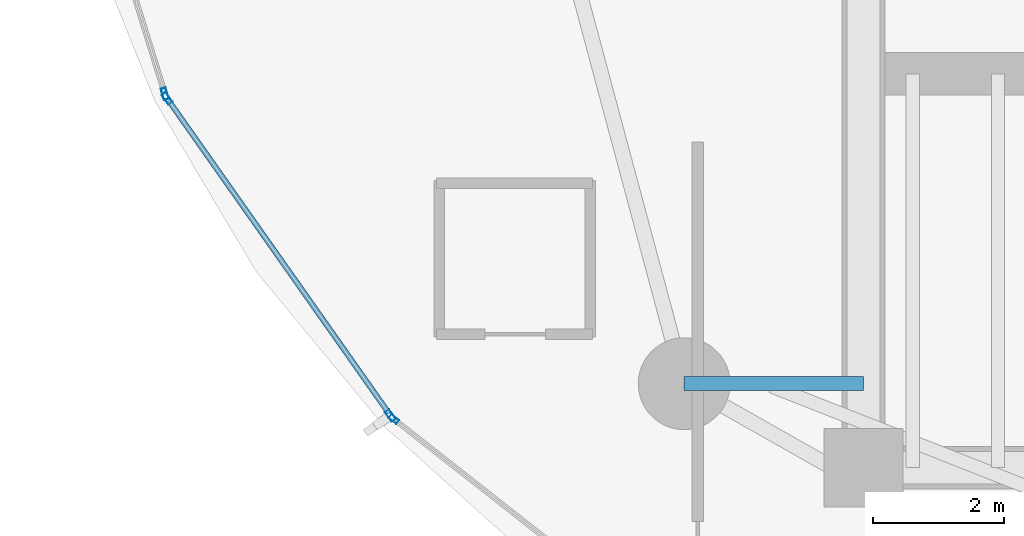
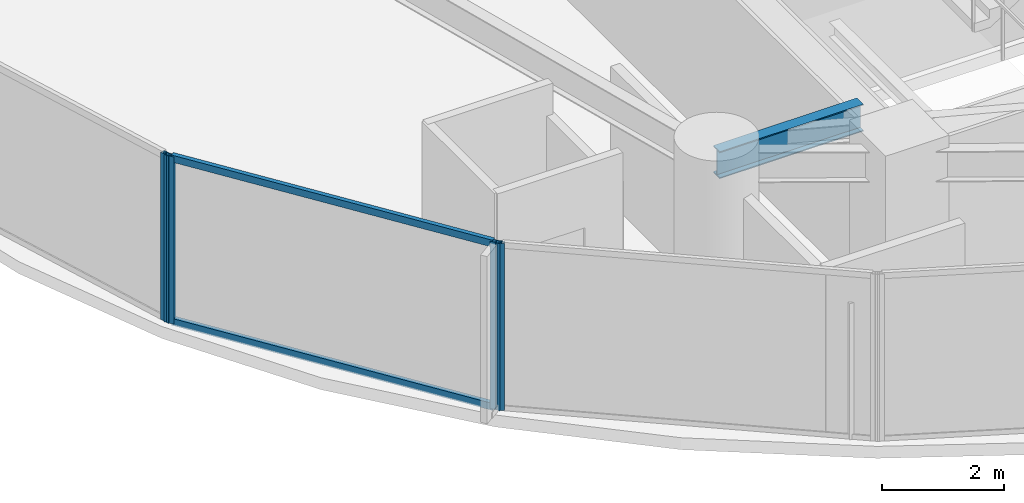
# One storey, part 3 of 32: 6 members, 1 beam, 3 elements without a shape of their own.
"""IFC4 building model written with IfcOpenShell, lengths in metres."""

from ifc_helpers import new_model, si_unit, direction, frame, origin, origin_2d, place, context, subcontext, project, spatial, hollow_rectangle, i_section, extrude, material, layer, layer_set, material_profile, profile_set, type_object, element, aggregate, save


model = new_model("IFC4")

# Units and contexts
model_context = context("Model", 3, precision=1e-05, world=origin(), true_north=direction((0.0, 1.0)))
body_context = subcontext(model_context, "Body", "Model", "MODEL_VIEW")
ifc_project = project(units=[si_unit("LENGTHUNIT", "METRE"), si_unit("AREAUNIT", "SQUARE_METRE"), si_unit("VOLUMEUNIT", "CUBIC_METRE"), si_unit("PLANEANGLEUNIT", "RADIAN"), si_unit("MASSUNIT", "GRAM", prefix="KILO")], contexts=[model_context])

# Site, building, storey
site_placement = place(None, origin())
site = spatial("IfcSite", under=ifc_project, at=site_placement, CompositionType="ELEMENT")
building_placement = place(site_placement, origin())
building = spatial("IfcBuilding", under=site, at=building_placement, Name="Kazevale Care Tower and Concert Hall", CompositionType="ELEMENT")
storey_placement = place(building_placement, frame((0.0, 0.0, 42.0)))
storey = spatial("IfcBuildingStorey", under=building, at=storey_placement, Name="L10", CompositionType="ELEMENT", Elevation=42.0)

# Curtain wall, members
ifc_material_1 = material(Name="Aluminium 6063-T6 and Low-E Glass", Category="aluminium")
ifc_layer_1 = layer(ifc_material_1, 0.179931640625)
ifc_layer_set_1 = layer_set([ifc_layer_1], Name="Aluminium 6063-T6 and Low-E Glass")
curtain_wall_type_1 = type_object("IfcCurtainWallType", Name="Waist & Upper Residential Curtain Wall CW-4", PredefinedType="NOTDEFINED", material=ifc_layer_set_1)
curtain_wall_1_placement = place(storey_placement, origin())
curtain_wall_1 = element("IfcCurtainWall", 1, at=curtain_wall_1_placement, inside=storey, type_object=curtain_wall_type_1, Name="cw:L10:f11", PredefinedType="NOTDEFINED")
ifc_material_2 = material(Name="Aluminium 6063-T6", Category="aluminium")
ifc_material_profile_1 = material_profile(ifc_material_2, hollow_rectangle(XDim=0.080078125, YDim=0.179931640625, WallThickness=0.0048828125, at=origin_2d()), Name="ALU80x180x5")
ifc_profile_set_1 = profile_set([ifc_material_profile_1], Name="Aluminium 6063-T6")
member_type_1 = type_object("IfcMemberType", Name="CW-4 Mullion ALU80x180x5", PredefinedType="MULLION", material=ifc_profile_set_1)
member_1_placement = place(storey_placement, frame((14.794921875, 24.396728515625, 0.0), z_axis=(0.0, 0.0, 1.0), x_axis=(-0.817564654583, -0.575836813322, 0.0)))
member_1 = element("IfcMember", 2, at=member_1_placement, type_object=member_type_1, Name="CW-4 mullion 1", PredefinedType="MULLION", context=body_context, shape_type="SweptSolid", body=[
    extrude(hollow_rectangle(XDim=0.080078125, YDim=0.179931640625, WallThickness=0.0048828125, at=origin_2d()), origin(), (0.0, 0.0, 1.0), 3.360107421875),
])
member_2_placement = place(storey_placement, frame((11.39404296875, 29.225341796875, 0.0), z_axis=(0.0, 0.0, 1.0), x_axis=(-0.817564654583, -0.575836813322, 0.0)))
member_2 = element("IfcMember", 3, at=member_2_placement, type_object=member_type_1, Name="CW-4 mullion 2", PredefinedType="MULLION", context=body_context, shape_type="SweptSolid", body=[
    extrude(hollow_rectangle(XDim=0.080078125, YDim=0.179931640625, WallThickness=0.0048828125, at=origin_2d()), origin(), (0.0, 0.0, 1.0), 3.360107421875),
])

# Curtain wall, member
curtain_wall_2_placement = place(storey_placement, origin())
curtain_wall_2 = element("IfcCurtainWall", 4, at=curtain_wall_2_placement, inside=storey, type_object=curtain_wall_type_1, Name="cw:L10:f12", PredefinedType="NOTDEFINED")
member_3_placement = place(storey_placement, frame((11.359130859375, 29.296142578125, 0.0), z_axis=(0.0, 0.0, 1.0), x_axis=(-0.955157326175, -0.296098771112, 0.0)))
member_3 = element("IfcMember", 5, at=member_3_placement, type_object=member_type_1, Name="CW-4 mullion 1", PredefinedType="MULLION", context=body_context, shape_type="SweptSolid", body=[
    extrude(hollow_rectangle(XDim=0.080078125, YDim=0.179931640625, WallThickness=0.0048828125, at=origin_2d()), origin(), (0.0, 0.0, 1.0), 3.360107421875),
])
aggregate(curtain_wall_2, [member_3])

# Member
ifc_material_profile_2 = material_profile(ifc_material_2, hollow_rectangle(XDim=0.080078125, YDim=0.139892578125, WallThickness=0.00390625, at=origin_2d()), Name="ALU80x140x4")
ifc_profile_set_2 = profile_set([ifc_material_profile_2], Name="Aluminium 6063-T6")
member_type_2 = type_object("IfcMemberType", Name="CW-4 Transom ALU80x140x4", PredefinedType="USERDEFINED", material=ifc_profile_set_2)
member_4_placement = place(storey_placement, frame((14.77197265625, 24.429443359375, 0.0400390625), z_axis=(-0.575850423039, 0.817555068657, 0.0), x_axis=(-0.817555068657, -0.575850423039, 0.0)))
member_4 = element("IfcMember", 6, at=member_4_placement, type_object=member_type_2, Name="CW-4 transom 1.1", ObjectType="TRANSOM", PredefinedType="USERDEFINED", context=body_context, shape_type="SweptSolid", body=[
    extrude(hollow_rectangle(XDim=0.080078125, YDim=0.139892578125, WallThickness=0.00390625, at=origin_2d()), origin(), (0.0, 0.0, 1.0), 5.826171875),
])

member_5_placement = place(storey_placement, frame((14.77197265625, 24.429443359375, 3.320068359375), z_axis=(-0.575850423039, 0.817555068657, 0.0), x_axis=(-0.817555068657, -0.575850423039, 0.0)))
member_5 = element("IfcMember", 7, at=member_5_placement, type_object=member_type_2, Name="CW-4 transom 1.2", ObjectType="TRANSOM", PredefinedType="USERDEFINED", context=body_context, shape_type="SweptSolid", body=[
    extrude(hollow_rectangle(XDim=0.080078125, YDim=0.139892578125, WallThickness=0.00390625, at=origin_2d()), origin(), (0.0, 0.0, 1.0), 5.826171875),
])

aggregate(curtain_wall_1, [member_1, member_2, member_4, member_5])

# Curtain wall, member
ifc_layer_2 = layer(ifc_material_1, 0.179931640625)
ifc_layer_set_2 = layer_set([ifc_layer_2], Name="Aluminium 6063-T6 and Low-E Glass")
curtain_wall_type_2 = type_object("IfcCurtainWallType", Name="Sheltered Concave Balcony Curtain Wall CW-5", PredefinedType="NOTDEFINED", material=ifc_layer_set_2)
curtain_wall_3_placement = place(storey_placement, origin())
curtain_wall_3 = element("IfcCurtainWall", 8, at=curtain_wall_3_placement, inside=storey, type_object=curtain_wall_type_2, Name="cw:L10:f10", PredefinedType="NOTDEFINED")
ifc_material_profile_3 = material_profile(ifc_material_2, hollow_rectangle(XDim=0.074951171875, YDim=0.14990234375, WallThickness=0.00390625, at=origin_2d()), Name="ALU75x150x4")
ifc_profile_set_3 = profile_set([ifc_material_profile_3], Name="Aluminium 6063-T6")
member_type_3 = type_object("IfcMemberType", Name="CW-5 Mullion ALU75x150x4", PredefinedType="MULLION", material=ifc_profile_set_3)
member_6_placement = place(storey_placement, frame((14.847412109375, 24.3408203125, 0.0), z_axis=(0.0, 0.0, 1.0), x_axis=(-0.617807548814, -0.78632934107, 0.0)))
member_6 = element("IfcMember", 9, at=member_6_placement, type_object=member_type_3, Name="CW-5 mullion 2", PredefinedType="MULLION", context=body_context, shape_type="SweptSolid", body=[
    extrude(hollow_rectangle(XDim=0.074951171875, YDim=0.14990234375, WallThickness=0.00390625, at=origin_2d()), origin(), (0.0, 0.0, 1.0), 3.360107421875),
])
aggregate(curtain_wall_3, [member_6])

# Beam
ifc_material_3 = material(Name="Steel ASTM A572 Gr 50", Category="steel")
ifc_material_profile_4 = material_profile(ifc_material_3, i_section(OverallWidth=0.2119140625, OverallDepth=0.5439453125, WebThickness=0.01318359375, FlangeThickness=0.021240234375, at=origin_2d()), Name="W530x123")
ifc_profile_set_4 = profile_set([ifc_material_profile_4], Name="Steel ASTM A572 Gr 50")
beam_type = type_object("IfcBeamType", Name="Radial Floor Girder W530x123", PredefinedType="BEAM", material=ifc_profile_set_4)
beam_placement = place(storey_placement, frame((22.0, 24.8798828125, 3.087890625), z_axis=(-1.0, 0.0, 0.0), x_axis=(0.0, -1.0, 0.0)))
element("IfcBeam", 10, at=beam_placement, inside=storey, type_object=beam_type, Name="beam:L10:rad:10", PredefinedType="BEAM", context=body_context, shape_type="SweptSolid", body=[
    extrude(i_section(OverallWidth=0.2119140625, OverallDepth=0.5439453125, WebThickness=0.01318359375, FlangeThickness=0.021240234375, at=origin_2d()), origin(), (0.0, 0.0, 1.0), 2.72998046875),
])

save(model, "model.ifc")
